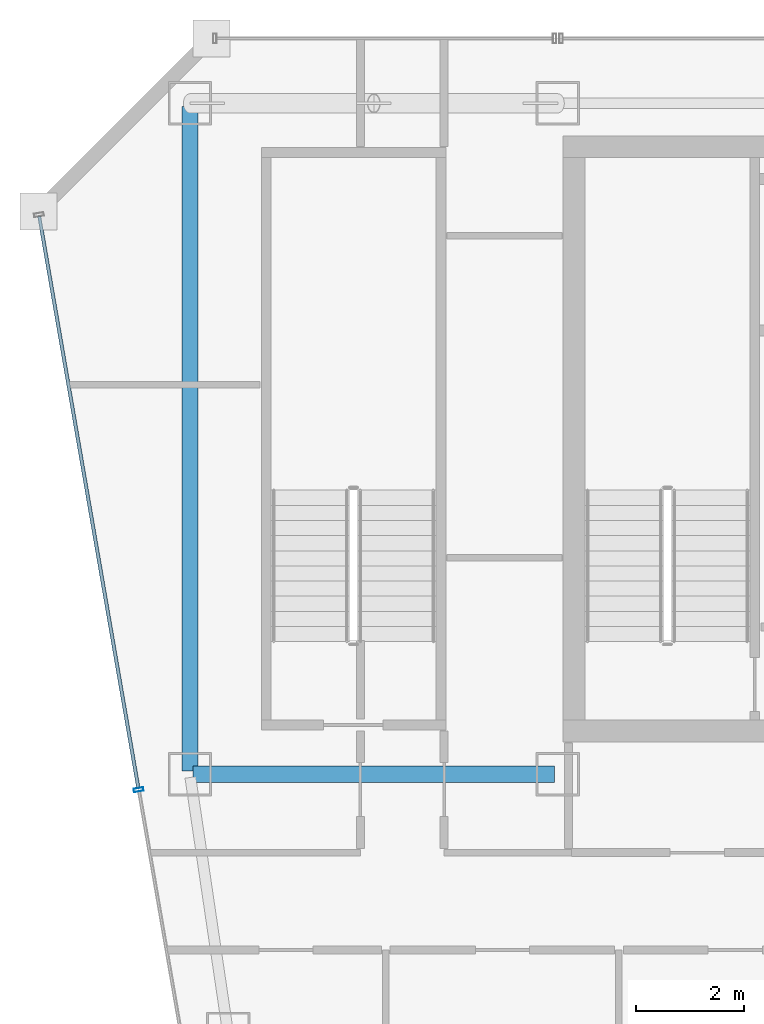
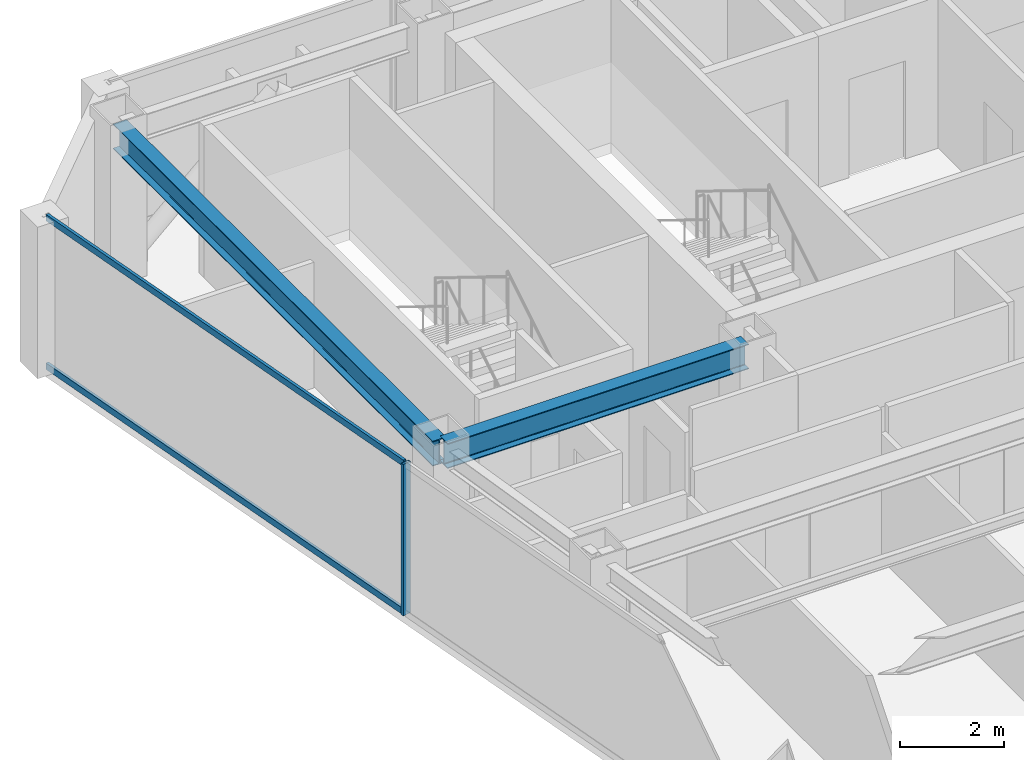
# One storey, part 8 of 33: 3 members, 2 beams, 1 element without a shape of its own.
"""IFC4 building model written with IfcOpenShell, lengths in metres."""

from ifc_helpers import new_model, si_unit, direction, frame, origin, origin_2d, place, context, subcontext, project, spatial, hollow_rectangle, i_section, extrude, material, material_profile, profile_set, type_object, element, aggregate, save


model = new_model("IFC4")

# Units and contexts
model_context = context("Model", 3, precision=1e-05, world=origin(), true_north=direction((0.0, 1.0)))
body_context = subcontext(model_context, "Body", "Model", "MODEL_VIEW")
ifc_project = project(units=[si_unit("LENGTHUNIT", "METRE"), si_unit("AREAUNIT", "SQUARE_METRE"), si_unit("VOLUMEUNIT", "CUBIC_METRE"), si_unit("PLANEANGLEUNIT", "RADIAN"), si_unit("MASSUNIT", "GRAM", prefix="KILO")], contexts=[model_context])

# Site, building, storey
site_placement = place(None, origin())
site = spatial("IfcSite", under=ifc_project, at=site_placement, CompositionType="ELEMENT")
building_placement = place(site_placement, origin())
building = spatial("IfcBuilding", under=site, at=building_placement, Name="Saevonmaru Cultural Tower", CompositionType="ELEMENT")
storey_placement = place(building_placement, frame((0.0, 0.0, 238.199951171875)))
storey = spatial("IfcBuildingStorey", under=building, at=storey_placement, Name="L55", CompositionType="ELEMENT", Elevation=238.199951171875)

# Beams
ifc_material_1 = material(Name="Steel SM355", Category="steel")
ifc_material_profile_1 = material_profile(ifc_material_1, i_section(OverallWidth=0.300048828125, OverallDepth=0.587890625, WebThickness=0.011962890625, FlangeThickness=0.02001953125, FilletRadius=0.02392578125, at=origin_2d()), Name="H-588x300x12x20")
ifc_profile_set_1 = profile_set([ifc_material_profile_1], Name="Steel SM355")
beam_type = type_object("IfcBeamType", Name="BM-G-H588", PredefinedType="BEAM", material=ifc_profile_set_1)
beam_1_placement = place(storey_placement, frame((6.860107421875, 42.39990234375, 3.256103515625), z_axis=(1.0, 0.0, 0.0), x_axis=(0.0, 1.0, 0.0)))
element("IfcBeam", 1, at=beam_1_placement, inside=storey, type_object=beam_type, Name="L55 Core South Girder 1", PredefinedType="BEAM", context=body_context, shape_type="SweptSolid", body=[
    extrude(i_section(OverallWidth=0.300048828125, OverallDepth=0.587890625, WebThickness=0.011962890625, FlangeThickness=0.02001953125, FilletRadius=0.02392578125, at=origin_2d()), origin(), (0.0, 0.0, 1.0), 6.679931640625),
])
beam_2_placement = place(storey_placement, frame((6.800048828125, 54.739990234375, 3.256103515625), z_axis=(0.0, -1.0, 0.0), x_axis=(1.0, 0.0, 0.0)))
element("IfcBeam", 2, at=beam_2_placement, inside=storey, type_object=beam_type, Name="L55 Spine Transverse Girder W", PredefinedType="BEAM", context=body_context, shape_type="SweptSolid", body=[
    extrude(i_section(OverallWidth=0.300048828125, OverallDepth=0.587890625, WebThickness=0.011962890625, FlangeThickness=0.02001953125, FilletRadius=0.02392578125, at=origin_2d()), origin(), (0.0, 0.0, 1.0), 12.280029296875),
])

# Curtain wall, members
ifc_material_2 = material(Name="Satin Bronze Anodised Aluminium", Category="aluminium")
curtain_wall_type = type_object("IfcCurtainWallType", Name="CW-TYP-B", PredefinedType="NOTDEFINED", material=ifc_material_2)
curtain_wall_placement = place(storey_placement, origin())
curtain_wall = element("IfcCurtainWall", 3, at=curtain_wall_placement, inside=storey, type_object=curtain_wall_type, Name="L55 Unitised Curtain Wall E12", PredefinedType="NOTDEFINED")
ifc_material_profile_2 = material_profile(ifc_material_2, hollow_rectangle(XDim=0.06494140625, YDim=0.179931640625, WallThickness=0.00390625, at=origin_2d()), Name="ALU-MULL-180x65x4")
ifc_profile_set_2 = profile_set([ifc_material_profile_2], Name="Satin Bronze Anodised Aluminium")
member_type_1 = type_object("IfcMemberType", Name="ML-CW-180x65", PredefinedType="MULLION", material=ifc_profile_set_2)
member_1_placement = place(storey_placement, frame((5.852294921875, 42.113525390625, 0.0), z_axis=(0.0, 0.0, 1.0), x_axis=(0.170790369887, -0.985307388359, 0.0)))
member_1 = element("IfcMember", 4, at=member_1_placement, type_object=member_type_1, Name="CW-TW-L55-E12 mullion 2", PredefinedType="MULLION", context=body_context, shape_type="SweptSolid", body=[
    extrude(hollow_rectangle(XDim=0.06494140625, YDim=0.179931640625, WallThickness=0.00390625, at=origin_2d()), origin(), (0.0, 0.0, 1.0), 3.550048828125),
])
ifc_material_profile_3 = material_profile(ifc_material_2, hollow_rectangle(XDim=0.06494140625, YDim=0.14990234375, WallThickness=0.00390625, at=origin_2d()), Name="ALU-TRAN-150x65x4")
ifc_profile_set_3 = profile_set([ifc_material_profile_3], Name="Satin Bronze Anodised Aluminium")
member_type_2 = type_object("IfcMemberType", Name="TR-CW-150x65", PredefinedType="USERDEFINED", material=ifc_profile_set_3)
member_2_placement = place(storey_placement, frame((4.015869140625, 52.708984375, 0.032470703125), z_axis=(0.170773163608, -0.985310370691, 0.0), x_axis=(0.985310370691, 0.170773163608, 0.0)))
member_2 = element("IfcMember", 5, at=member_2_placement, type_object=member_type_2, Name="CW-TW-L55-E12 transom 1.1", ObjectType="TRANSOM", PredefinedType="USERDEFINED", context=body_context, shape_type="SweptSolid", body=[
    extrude(hollow_rectangle(XDim=0.06494140625, YDim=0.14990234375, WallThickness=0.00390625, at=origin_2d()), origin(), (0.0, 0.0, 1.0), 10.720703125),
])
member_3_placement = place(storey_placement, frame((4.015869140625, 52.708984375, 3.517578125), z_axis=(0.170773163608, -0.985310370691, 0.0), x_axis=(0.985310370691, 0.170773163608, 0.0)))
member_3 = element("IfcMember", 6, at=member_3_placement, type_object=member_type_2, Name="CW-TW-L55-E12 transom 1.2", ObjectType="TRANSOM", PredefinedType="USERDEFINED", context=body_context, shape_type="SweptSolid", body=[
    extrude(hollow_rectangle(XDim=0.06494140625, YDim=0.14990234375, WallThickness=0.00390625, at=origin_2d()), origin(), (0.0, 0.0, 1.0), 10.720703125),
])
aggregate(curtain_wall, [member_1, member_2, member_3])

save(model, "model.ifc")
